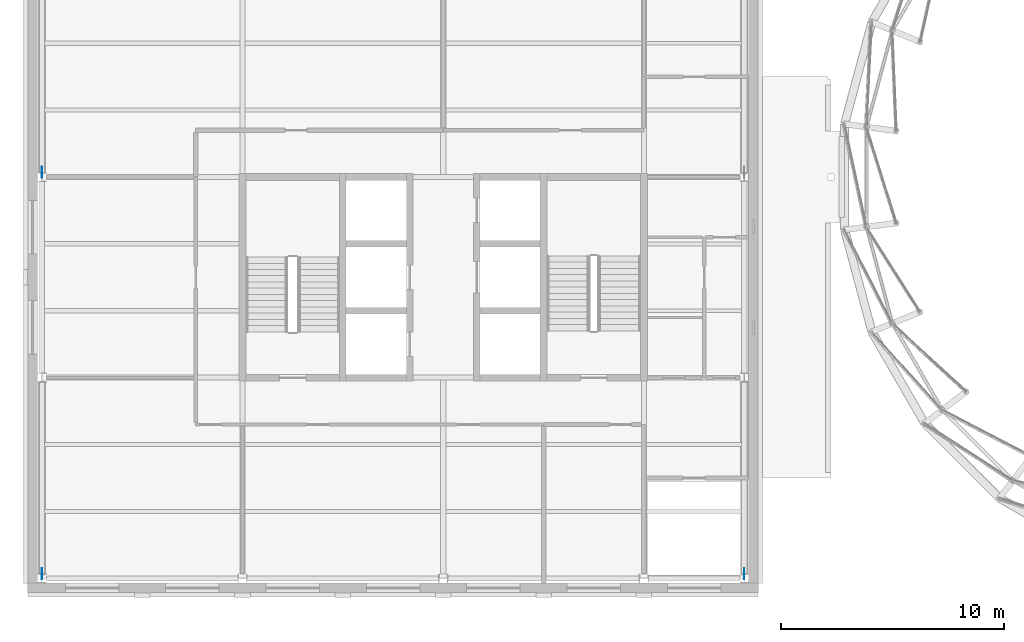
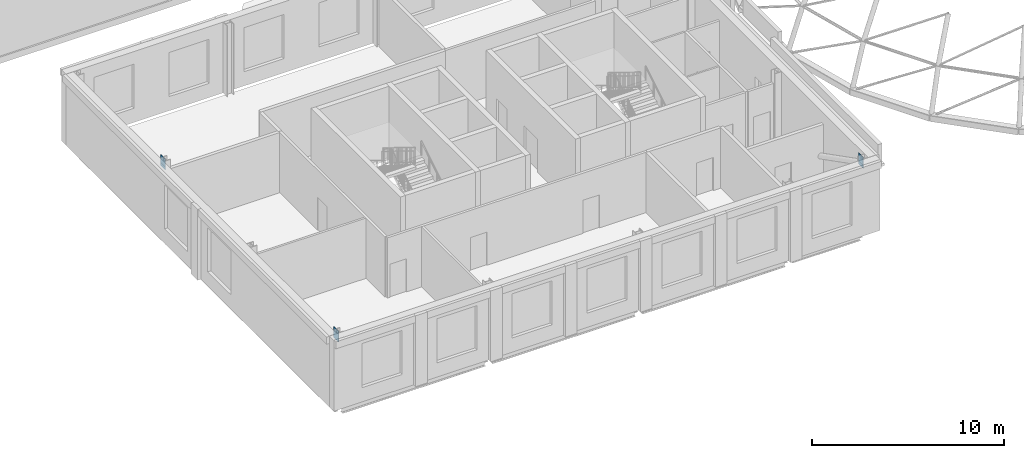
# One storey, part 31 of 59: 6 discrete accessories.
"""IFC4 building model written with IfcOpenShell, lengths in metres."""

from ifc_helpers import new_model, si_unit, direction, frame, origin, origin_2d, place, context, subcontext, project, spatial, rectangle, extrude, material, type_object, element, save


model = new_model("IFC4")

# Units and contexts
model_context = context("Model", 3, precision=1e-05, world=origin(), true_north=direction((0.0, 1.0)))
body_context = subcontext(model_context, "Body", "Model", "MODEL_VIEW")
ifc_project = project(units=[si_unit("LENGTHUNIT", "METRE"), si_unit("AREAUNIT", "SQUARE_METRE"), si_unit("VOLUMEUNIT", "CUBIC_METRE"), si_unit("PLANEANGLEUNIT", "RADIAN"), si_unit("MASSUNIT", "GRAM", prefix="KILO")], contexts=[model_context])

# Site, building, storey
site_placement = place(None, origin())
site = spatial("IfcSite", under=ifc_project, at=site_placement, CompositionType="ELEMENT")
building_placement = place(site_placement, origin())
building = spatial("IfcBuilding", under=site, at=building_placement, Name="Hortulan Conservatory and Botanical Research Centre", CompositionType="ELEMENT")
storey_placement = place(building_placement, frame((0.0, 0.0, 10.5)))
storey = spatial("IfcBuildingStorey", under=building, at=storey_placement, Name="L02", CompositionType="ELEMENT", Elevation=10.5)

# Discrete accessories
ifc_material = material(Name="Steel Grade 300 plate (AS/NZS 3678, 280 MPa minimum yield)", Category="steel")
discrete_accessory_type = type_object("IfcDiscreteAccessoryType", Name="End Plate 500x20", PredefinedType="BRACKET", material=ifc_material)
for number, where, z_axis, x_axis, name in (
    (1, (0.0, 0.2109375, 3.78173828125), (0.0, 0.0, 1.0), (0.0, -1.0, 0.0), "Brace end plate"),
    (2, (0.0, 0.2109375, 3.988525390625), (0.0, 0.0, 1.0), (0.0, -1.0, 0.0), "Brace end plate"),
    (3, (0.0, 18.2109375, 3.78173828125), (0.0, 0.0, 1.0), (0.0, -1.0, 0.0), "Brace end plate"),
    (4, (0.0, 18.2109375, 3.988525390625), (0.0, 0.0, 1.0), (0.0, -1.0, 0.0), "Brace end plate"),
    (5, (31.5, 0.2109375, 3.78173828125), (0.0, 0.0, 1.0), (0.0, -1.0, 0.0), "Brace end plate"),
    (6, (31.5, 0.2109375, 3.988525390625), (0.0, 0.0, 1.0), (0.0, -1.0, 0.0), "Brace end plate"),
):
    element("IfcDiscreteAccessory", number, at=place(storey_placement, frame(where, z_axis=z_axis, x_axis=x_axis)), inside=storey, type_object=discrete_accessory_type, Name=name, PredefinedType="BRACKET", context=body_context, shape_type="SweptSolid", body=[
        extrude(rectangle(XDim=0.5, YDim=0.02001953125, at=origin_2d()), origin(), (0.0, 0.0, 1.0), 0.5),
    ])

save(model, "model.ifc")
